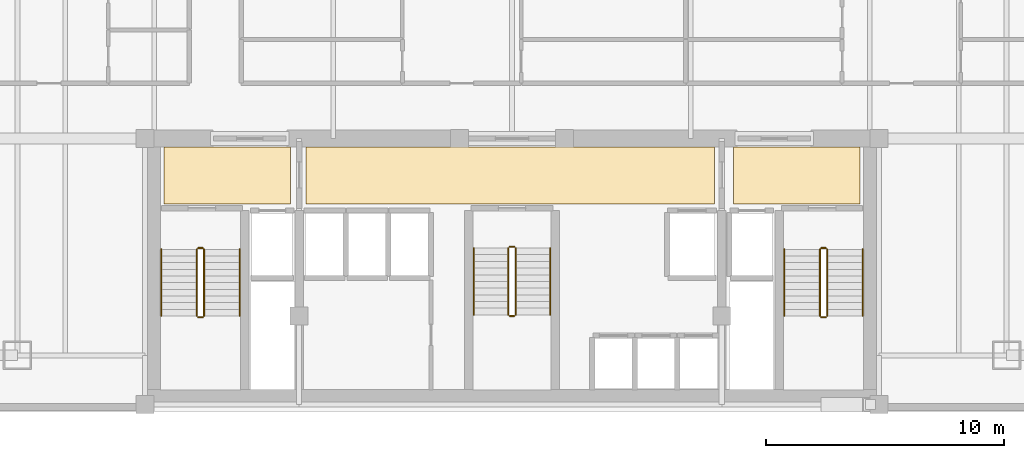
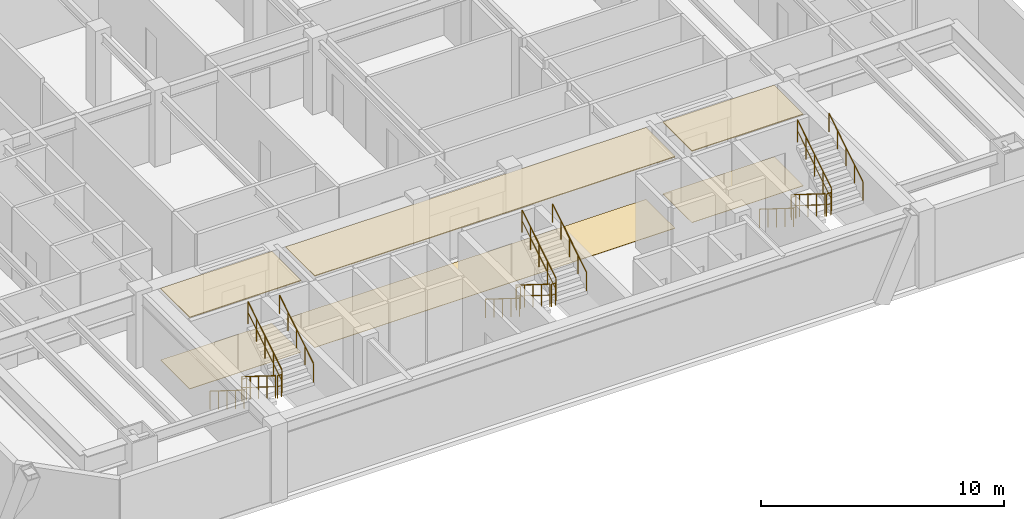
# One storey, part 9 of 9: 18 railings, 6 coverings.
"""IFC4 building model written with IfcOpenShell, lengths in metres."""

from ifc_helpers import new_model, si_unit, direction, frame, origin, origin_2d, place, context, subcontext, project, spatial, polyline, circle, outline, extrude, material, layer, layer_set, type_object, element, save


model = new_model("IFC4")

# Units and contexts
model_context = context("Model", 3, precision=1e-05, world=origin(), true_north=direction((0.0, 1.0)))
body_context = subcontext(model_context, "Body", "Model", "MODEL_VIEW")
ifc_project = project(units=[si_unit("LENGTHUNIT", "METRE"), si_unit("AREAUNIT", "SQUARE_METRE"), si_unit("VOLUMEUNIT", "CUBIC_METRE"), si_unit("PLANEANGLEUNIT", "RADIAN"), si_unit("MASSUNIT", "GRAM", prefix="KILO")], contexts=[model_context])

# Site, building, storey
site_placement = place(None, origin())
site = spatial("IfcSite", under=ifc_project, at=site_placement, CompositionType="ELEMENT")
building_placement = place(site_placement, origin())
building = spatial("IfcBuilding", under=site, at=building_placement, Name="Ventersveld Concourse Tower", CompositionType="ELEMENT")
storey_placement = place(building_placement, frame((0.0, 0.0, 152.89990234375)))
storey = spatial("IfcBuildingStorey", under=building, at=storey_placement, Name="L37", CompositionType="ELEMENT", Elevation=152.89990234375)

# Coverings
ifc_material_1 = material(Name="Mineral-fibre acoustic ceiling tile", Category="gypsum")
ifc_layer_1 = layer(ifc_material_1, 0.0400390625)
ifc_layer_set_1 = layer_set([ifc_layer_1], Name="Mineral-fibre acoustic ceiling tile")
covering_type_1 = type_object("IfcCoveringType", Name="COV-CEIL-ACOUSTIC", PredefinedType="CEILING", material=ifc_layer_set_1)
covering_1_placement = place(storey_placement, frame((0.0, 0.0, 3.590087890625)))
element("IfcCovering", 1, at=covering_1_placement, inside=storey, type_object=covering_type_1, Name="L37 North Lift Lobby Acoustic Ceiling", PredefinedType="CEILING", context=body_context, shape_type="SweptSolid", body=[
    extrude(outline(polyline([(20.10009765625, 8.699951171875), (37.25, 8.699951171875), (37.25, 11.10009765625), (20.10009765625, 11.10009765625), (20.10009765625, 8.699951171875)])), origin(), (0.0, 0.0, 1.0), 0.0400390625),
])
covering_2_placement = place(storey_placement, frame((0.0, 0.0, 3.590087890625)))
element("IfcCovering", 2, at=covering_2_placement, inside=storey, type_object=covering_type_1, Name="L37 West Firefighting Lobby Acoustic Ceiling", PredefinedType="CEILING", context=body_context, shape_type="SweptSolid", body=[
    extrude(outline(polyline([(14.14990234375, 8.699951171875), (19.449951171875, 8.699951171875), (19.449951171875, 11.10009765625), (14.14990234375, 11.10009765625), (14.14990234375, 8.699951171875)])), origin(), (0.0, 0.0, 1.0), 0.0400390625),
])
covering_3_placement = place(storey_placement, frame((0.0, 0.0, 3.590087890625)))
element("IfcCovering", 3, at=covering_3_placement, inside=storey, type_object=covering_type_1, Name="L37 East Firefighting Lobby Acoustic Ceiling", PredefinedType="CEILING", context=body_context, shape_type="SweptSolid", body=[
    extrude(outline(polyline([(38.050048828125, 8.699951171875), (43.35009765625, 8.699951171875), (43.35009765625, 11.10009765625), (38.050048828125, 11.10009765625), (38.050048828125, 8.699951171875)])), origin(), (0.0, 0.0, 1.0), 0.0400390625),
])
ifc_material_2 = material(Name="Polished Highveld granite terrazzo", Category="masonry")
ifc_layer_2 = layer(ifc_material_2, 0.02001953125)
ifc_layer_set_2 = layer_set([ifc_layer_2], Name="Polished Highveld granite terrazzo")
covering_type_2 = type_object("IfcCoveringType", Name="COV-FLOOR-TERRAZZO", PredefinedType="FLOORING", material=ifc_layer_set_2)
covering_4_placement = place(storey_placement, origin())
element("IfcCovering", 4, at=covering_4_placement, inside=storey, type_object=covering_type_2, Name="L37 North Lift Lobby Terrazzo Flooring", PredefinedType="FLOORING", context=body_context, shape_type="SweptSolid", body=[
    extrude(outline(polyline([(20.10009765625, 8.699951171875), (37.25, 8.699951171875), (37.25, 11.10009765625), (20.10009765625, 11.10009765625), (20.10009765625, 8.699951171875)])), origin(), (0.0, 0.0, 1.0), 0.02001953125),
])
covering_5_placement = place(storey_placement, origin())
element("IfcCovering", 5, at=covering_5_placement, inside=storey, type_object=covering_type_2, Name="L37 West Firefighting Lobby Terrazzo Flooring", PredefinedType="FLOORING", context=body_context, shape_type="SweptSolid", body=[
    extrude(outline(polyline([(14.14990234375, 8.699951171875), (19.449951171875, 8.699951171875), (19.449951171875, 11.10009765625), (14.14990234375, 11.10009765625), (14.14990234375, 8.699951171875)])), origin(), (0.0, 0.0, 1.0), 0.02001953125),
])
covering_6_placement = place(storey_placement, origin())
element("IfcCovering", 6, at=covering_6_placement, inside=storey, type_object=covering_type_2, Name="L37 East Firefighting Lobby Terrazzo Flooring", PredefinedType="FLOORING", context=body_context, shape_type="SweptSolid", body=[
    extrude(outline(polyline([(38.050048828125, 8.699951171875), (43.35009765625, 8.699951171875), (43.35009765625, 11.10009765625), (38.050048828125, 11.10009765625), (38.050048828125, 8.699951171875)])), origin(), (0.0, 0.0, 1.0), 0.02001953125),
])

# Railings
ifc_material_3 = material(Name="Brushed stainless steel 316", Category="steel")
railing_type_1 = type_object("IfcRailingType", Name="GD-BAL-115", PredefinedType="GUARDRAIL", material=ifc_material_3)
railing_1_placement = place(storey_placement, frame((15.530029296875, 6.800048828125, 0.175048828125)))
element("IfcRailing", 7, at=railing_1_placement, inside=storey, type_object=railing_type_1, Name="L37 ST-01 stair guard 1", PredefinedType="GUARDRAIL", context=body_context, shape_type="SweptSolid", body=[
    extrude(circle(Radius=0.02392578125, at=origin_2d()), frame((0.0, 0.0, 1.1259765625), z_axis=(0.0, -0.848002457836, 0.529992293815), x_axis=(1.0, 0.0, 0.0)), (0.0, 0.0, 1.0), 3.302001953125),
    extrude(circle(Radius=0.01611328125, at=origin_2d()), frame((0.0, 0.0, 0.574951171875), z_axis=(0.0, -0.848002457836, 0.529992293815), x_axis=(1.0, 0.0, 0.0)), (0.0, 0.0, 1.0), 3.302001953125),
    extrude(circle(Radius=0.02099609375, at=origin_2d()), origin(), (0.0, 0.0, 1.0), 1.101806640625),
    extrude(circle(Radius=0.02099609375, at=origin_2d()), frame((0.0, -0.699951171875, 0.4375)), (0.0, 0.0, 1.0), 1.101806640625),
    extrude(circle(Radius=0.02099609375, at=origin_2d()), frame((0.0, -1.39990234375, 0.875)), (0.0, 0.0, 1.0), 1.101806640625),
    extrude(circle(Radius=0.02099609375, at=origin_2d()), frame((0.0, -2.10009765625, 1.3125)), (0.0, 0.0, 1.0), 1.101806640625),
    extrude(circle(Radius=0.02099609375, at=origin_2d()), frame((0.0, -2.800048828125, 1.75)), (0.0, 0.0, 1.0), 1.101806640625),
])
railing_2_placement = place(storey_placement, frame((15.580078125, 3.949951171875, 1.925048828125)))
element("IfcRailing", 8, at=railing_2_placement, inside=storey, type_object=railing_type_1, Name="L37 ST-01 stair guard 2", PredefinedType="GUARDRAIL", context=body_context, shape_type="SweptSolid", body=[
    extrude(circle(Radius=0.02392578125, at=origin_2d()), frame((0.0, 0.0, 1.1259765625), z_axis=(1.0, 0.0, 0.0), x_axis=(0.0, 1.0, 0.0)), (0.0, 0.0, 1.0), 0.199951171875),
    extrude(circle(Radius=0.01611328125, at=origin_2d()), frame((0.0, 0.0, 0.574951171875), z_axis=(1.0, 0.0, 0.0), x_axis=(0.0, 1.0, 0.0)), (0.0, 0.0, 1.0), 0.199951171875),
    extrude(circle(Radius=0.02099609375, at=origin_2d()), origin(), (0.0, 0.0, 1.0), 1.101806640625),
    extrude(circle(Radius=0.02099609375, at=origin_2d()), frame((0.199951171875, 0.0, 0.0)), (0.0, 0.0, 1.0), 1.101806640625),
])
railing_3_placement = place(storey_placement, frame((15.830078125, 4.0, 2.10009765625)))
element("IfcRailing", 9, at=railing_3_placement, inside=storey, type_object=railing_type_1, Name="L37 ST-01 stair guard 3", PredefinedType="GUARDRAIL", context=body_context, shape_type="SweptSolid", body=[
    extrude(circle(Radius=0.02392578125, at=origin_2d()), frame((0.0, 0.0, 1.1259765625), z_axis=(0.0, 0.848002457836, 0.529992293815), x_axis=(-1.0, 0.0, 0.0)), (0.0, 0.0, 1.0), 3.302001953125),
    extrude(circle(Radius=0.01611328125, at=origin_2d()), frame((0.0, 0.0, 0.574951171875), z_axis=(0.0, 0.848002457836, 0.529992293815), x_axis=(-1.0, 0.0, 0.0)), (0.0, 0.0, 1.0), 3.302001953125),
    extrude(circle(Radius=0.02099609375, at=origin_2d()), origin(), (0.0, 0.0, 1.0), 1.101806640625),
    extrude(circle(Radius=0.02099609375, at=origin_2d()), frame((0.0, 0.699951171875, 0.4375)), (0.0, 0.0, 1.0), 1.101806640625),
    extrude(circle(Radius=0.02099609375, at=origin_2d()), frame((0.0, 1.39990234375, 0.875)), (0.0, 0.0, 1.0), 1.101806640625),
    extrude(circle(Radius=0.02099609375, at=origin_2d()), frame((0.0, 2.10009765625, 1.3125)), (0.0, 0.0, 1.0), 1.101806640625),
    extrude(circle(Radius=0.02099609375, at=origin_2d()), frame((0.0, 2.800048828125, 1.75)), (0.0, 0.0, 1.0), 1.101806640625),
])
railing_4_placement = place(storey_placement, frame((15.580078125, 6.85009765625, 0.0)))
element("IfcRailing", 10, at=railing_4_placement, inside=storey, type_object=railing_type_1, Name="L37 ST-01 stair guard 4", PredefinedType="GUARDRAIL", context=body_context, shape_type="SweptSolid", body=[
    extrude(circle(Radius=0.02392578125, at=origin_2d()), frame((0.0, 0.0, 1.1259765625), z_axis=(1.0, 0.0, 0.0), x_axis=(0.0, 1.0, 0.0)), (0.0, 0.0, 1.0), 0.199951171875),
    extrude(circle(Radius=0.01611328125, at=origin_2d()), frame((0.0, 0.0, 0.574951171875), z_axis=(1.0, 0.0, 0.0), x_axis=(0.0, 1.0, 0.0)), (0.0, 0.0, 1.0), 0.199951171875),
    extrude(circle(Radius=0.02099609375, at=origin_2d()), origin(), (0.0, 0.0, 1.0), 1.101806640625),
    extrude(circle(Radius=0.02099609375, at=origin_2d()), frame((0.199951171875, 0.0, 0.0)), (0.0, 0.0, 1.0), 1.101806640625),
])
railing_5_placement = place(storey_placement, frame((41.669921875, 6.800048828125, 0.175048828125)))
element("IfcRailing", 11, at=railing_5_placement, inside=storey, type_object=railing_type_1, Name="L37 ST-02 stair guard 1", PredefinedType="GUARDRAIL", context=body_context, shape_type="SweptSolid", body=[
    extrude(circle(Radius=0.02392578125, at=origin_2d()), frame((0.0, 0.0, 1.1259765625), z_axis=(0.0, -0.848002457836, 0.529992293815), x_axis=(1.0, 0.0, 0.0)), (0.0, 0.0, 1.0), 3.302001953125),
    extrude(circle(Radius=0.01611328125, at=origin_2d()), frame((0.0, 0.0, 0.574951171875), z_axis=(0.0, -0.848002457836, 0.529992293815), x_axis=(1.0, 0.0, 0.0)), (0.0, 0.0, 1.0), 3.302001953125),
    extrude(circle(Radius=0.02099609375, at=origin_2d()), origin(), (0.0, 0.0, 1.0), 1.101806640625),
    extrude(circle(Radius=0.02099609375, at=origin_2d()), frame((0.0, -0.699951171875, 0.4375)), (0.0, 0.0, 1.0), 1.101806640625),
    extrude(circle(Radius=0.02099609375, at=origin_2d()), frame((0.0, -1.39990234375, 0.875)), (0.0, 0.0, 1.0), 1.101806640625),
    extrude(circle(Radius=0.02099609375, at=origin_2d()), frame((0.0, -2.10009765625, 1.3125)), (0.0, 0.0, 1.0), 1.101806640625),
    extrude(circle(Radius=0.02099609375, at=origin_2d()), frame((0.0, -2.800048828125, 1.75)), (0.0, 0.0, 1.0), 1.101806640625),
])
railing_6_placement = place(storey_placement, frame((41.719970703125, 3.949951171875, 1.925048828125)))
element("IfcRailing", 12, at=railing_6_placement, inside=storey, type_object=railing_type_1, Name="L37 ST-02 stair guard 2", PredefinedType="GUARDRAIL", context=body_context, shape_type="SweptSolid", body=[
    extrude(circle(Radius=0.02392578125, at=origin_2d()), frame((0.0, 0.0, 1.1259765625), z_axis=(1.0, 0.0, 0.0), x_axis=(0.0, 1.0, 0.0)), (0.0, 0.0, 1.0), 0.199951171875),
    extrude(circle(Radius=0.01611328125, at=origin_2d()), frame((0.0, 0.0, 0.574951171875), z_axis=(1.0, 0.0, 0.0), x_axis=(0.0, 1.0, 0.0)), (0.0, 0.0, 1.0), 0.199951171875),
    extrude(circle(Radius=0.02099609375, at=origin_2d()), origin(), (0.0, 0.0, 1.0), 1.101806640625),
    extrude(circle(Radius=0.02099609375, at=origin_2d()), frame((0.199951171875, 0.0, 0.0)), (0.0, 0.0, 1.0), 1.101806640625),
])
railing_7_placement = place(storey_placement, frame((41.969970703125, 4.0, 2.10009765625)))
element("IfcRailing", 13, at=railing_7_placement, inside=storey, type_object=railing_type_1, Name="L37 ST-02 stair guard 3", PredefinedType="GUARDRAIL", context=body_context, shape_type="SweptSolid", body=[
    extrude(circle(Radius=0.02392578125, at=origin_2d()), frame((0.0, 0.0, 1.1259765625), z_axis=(0.0, 0.848002457836, 0.529992293815), x_axis=(-1.0, 0.0, 0.0)), (0.0, 0.0, 1.0), 3.302001953125),
    extrude(circle(Radius=0.01611328125, at=origin_2d()), frame((0.0, 0.0, 0.574951171875), z_axis=(0.0, 0.848002457836, 0.529992293815), x_axis=(-1.0, 0.0, 0.0)), (0.0, 0.0, 1.0), 3.302001953125),
    extrude(circle(Radius=0.02099609375, at=origin_2d()), origin(), (0.0, 0.0, 1.0), 1.101806640625),
    extrude(circle(Radius=0.02099609375, at=origin_2d()), frame((0.0, 0.699951171875, 0.4375)), (0.0, 0.0, 1.0), 1.101806640625),
    extrude(circle(Radius=0.02099609375, at=origin_2d()), frame((0.0, 1.39990234375, 0.875)), (0.0, 0.0, 1.0), 1.101806640625),
    extrude(circle(Radius=0.02099609375, at=origin_2d()), frame((0.0, 2.10009765625, 1.3125)), (0.0, 0.0, 1.0), 1.101806640625),
    extrude(circle(Radius=0.02099609375, at=origin_2d()), frame((0.0, 2.800048828125, 1.75)), (0.0, 0.0, 1.0), 1.101806640625),
])
railing_8_placement = place(storey_placement, frame((41.719970703125, 6.85009765625, 0.0)))
element("IfcRailing", 14, at=railing_8_placement, inside=storey, type_object=railing_type_1, Name="L37 ST-02 stair guard 4", PredefinedType="GUARDRAIL", context=body_context, shape_type="SweptSolid", body=[
    extrude(circle(Radius=0.02392578125, at=origin_2d()), frame((0.0, 0.0, 1.1259765625), z_axis=(1.0, 0.0, 0.0), x_axis=(0.0, 1.0, 0.0)), (0.0, 0.0, 1.0), 0.199951171875),
    extrude(circle(Radius=0.01611328125, at=origin_2d()), frame((0.0, 0.0, 0.574951171875), z_axis=(1.0, 0.0, 0.0), x_axis=(0.0, 1.0, 0.0)), (0.0, 0.0, 1.0), 0.199951171875),
    extrude(circle(Radius=0.02099609375, at=origin_2d()), origin(), (0.0, 0.0, 1.0), 1.101806640625),
    extrude(circle(Radius=0.02099609375, at=origin_2d()), frame((0.199951171875, 0.0, 0.0)), (0.0, 0.0, 1.0), 1.101806640625),
])
railing_9_placement = place(storey_placement, frame((28.60009765625, 6.85009765625, 0.175048828125)))
element("IfcRailing", 15, at=railing_9_placement, inside=storey, type_object=railing_type_1, Name="L37 ST-03 stair guard 1", PredefinedType="GUARDRAIL", context=body_context, shape_type="SweptSolid", body=[
    extrude(circle(Radius=0.02392578125, at=origin_2d()), frame((0.0, 0.0, 1.1259765625), z_axis=(0.0, -0.848002457836, 0.529992293815), x_axis=(1.0, 0.0, 0.0)), (0.0, 0.0, 1.0), 3.302001953125),
    extrude(circle(Radius=0.01611328125, at=origin_2d()), frame((0.0, 0.0, 0.574951171875), z_axis=(0.0, -0.848002457836, 0.529992293815), x_axis=(1.0, 0.0, 0.0)), (0.0, 0.0, 1.0), 3.302001953125),
    extrude(circle(Radius=0.02099609375, at=origin_2d()), origin(), (0.0, 0.0, 1.0), 1.101806640625),
    extrude(circle(Radius=0.02099609375, at=origin_2d()), frame((0.0, -0.699951171875, 0.4375)), (0.0, 0.0, 1.0), 1.101806640625),
    extrude(circle(Radius=0.02099609375, at=origin_2d()), frame((0.0, -1.39990234375, 0.875)), (0.0, 0.0, 1.0), 1.101806640625),
    extrude(circle(Radius=0.02099609375, at=origin_2d()), frame((0.0, -2.10009765625, 1.3125)), (0.0, 0.0, 1.0), 1.101806640625),
    extrude(circle(Radius=0.02099609375, at=origin_2d()), frame((0.0, -2.800048828125, 1.75)), (0.0, 0.0, 1.0), 1.101806640625),
])
railing_10_placement = place(storey_placement, frame((28.64990234375, 4.0, 1.925048828125)))
element("IfcRailing", 16, at=railing_10_placement, inside=storey, type_object=railing_type_1, Name="L37 ST-03 stair guard 2", PredefinedType="GUARDRAIL", context=body_context, shape_type="SweptSolid", body=[
    extrude(circle(Radius=0.02392578125, at=origin_2d()), frame((0.0, 0.0, 1.1259765625), z_axis=(1.0, 0.0, 0.0), x_axis=(0.0, 1.0, 0.0)), (0.0, 0.0, 1.0), 0.2001953125),
    extrude(circle(Radius=0.01611328125, at=origin_2d()), frame((0.0, 0.0, 0.574951171875), z_axis=(1.0, 0.0, 0.0), x_axis=(0.0, 1.0, 0.0)), (0.0, 0.0, 1.0), 0.2001953125),
    extrude(circle(Radius=0.02099609375, at=origin_2d()), origin(), (0.0, 0.0, 1.0), 1.101806640625),
    extrude(circle(Radius=0.02099609375, at=origin_2d()), frame((0.2001953125, 0.0, 0.0)), (0.0, 0.0, 1.0), 1.101806640625),
])
railing_11_placement = place(storey_placement, frame((28.89990234375, 4.050048828125, 2.10009765625)))
element("IfcRailing", 17, at=railing_11_placement, inside=storey, type_object=railing_type_1, Name="L37 ST-03 stair guard 3", PredefinedType="GUARDRAIL", context=body_context, shape_type="SweptSolid", body=[
    extrude(circle(Radius=0.02392578125, at=origin_2d()), frame((0.0, 0.0, 1.1259765625), z_axis=(0.0, 0.848002457836, 0.529992293815), x_axis=(-1.0, 0.0, 0.0)), (0.0, 0.0, 1.0), 3.302001953125),
    extrude(circle(Radius=0.01611328125, at=origin_2d()), frame((0.0, 0.0, 0.574951171875), z_axis=(0.0, 0.848002457836, 0.529992293815), x_axis=(-1.0, 0.0, 0.0)), (0.0, 0.0, 1.0), 3.302001953125),
    extrude(circle(Radius=0.02099609375, at=origin_2d()), origin(), (0.0, 0.0, 1.0), 1.101806640625),
    extrude(circle(Radius=0.02099609375, at=origin_2d()), frame((0.0, 0.699951171875, 0.4375)), (0.0, 0.0, 1.0), 1.101806640625),
    extrude(circle(Radius=0.02099609375, at=origin_2d()), frame((0.0, 1.39990234375, 0.875)), (0.0, 0.0, 1.0), 1.101806640625),
    extrude(circle(Radius=0.02099609375, at=origin_2d()), frame((0.0, 2.10009765625, 1.3125)), (0.0, 0.0, 1.0), 1.101806640625),
    extrude(circle(Radius=0.02099609375, at=origin_2d()), frame((0.0, 2.800048828125, 1.75)), (0.0, 0.0, 1.0), 1.101806640625),
])
railing_12_placement = place(storey_placement, frame((28.64990234375, 6.89990234375, 0.0)))
element("IfcRailing", 18, at=railing_12_placement, inside=storey, type_object=railing_type_1, Name="L37 ST-03 stair guard 4", PredefinedType="GUARDRAIL", context=body_context, shape_type="SweptSolid", body=[
    extrude(circle(Radius=0.02392578125, at=origin_2d()), frame((0.0, 0.0, 1.1259765625), z_axis=(1.0, 0.0, 0.0), x_axis=(0.0, 1.0, 0.0)), (0.0, 0.0, 1.0), 0.2001953125),
    extrude(circle(Radius=0.01611328125, at=origin_2d()), frame((0.0, 0.0, 0.574951171875), z_axis=(1.0, 0.0, 0.0), x_axis=(0.0, 1.0, 0.0)), (0.0, 0.0, 1.0), 0.2001953125),
    extrude(circle(Radius=0.02099609375, at=origin_2d()), origin(), (0.0, 0.0, 1.0), 1.101806640625),
    extrude(circle(Radius=0.02099609375, at=origin_2d()), frame((0.2001953125, 0.0, 0.0)), (0.0, 0.0, 1.0), 1.101806640625),
])
railing_type_2 = type_object("IfcRailingType", Name="HR-RMP-095", PredefinedType="HANDRAIL", material=ifc_material_3)
railing_13_placement = place(storey_placement, frame((14.030029296875, 6.800048828125, 0.175048828125)))
element("IfcRailing", 19, at=railing_13_placement, inside=storey, type_object=railing_type_2, Name="L37 ST-01 stair handrail 1", PredefinedType="HANDRAIL", context=body_context, shape_type="SweptSolid", body=[
    extrude(circle(Radius=0.02392578125, at=origin_2d()), frame((0.0, 0.0, 0.92578125), z_axis=(0.0, -0.848002457836, 0.529992293815), x_axis=(1.0, 0.0, 0.0)), (0.0, 0.0, 1.0), 3.302001953125),
    extrude(circle(Radius=0.02099609375, at=origin_2d()), origin(), (0.0, 0.0, 1.0), 0.90185546875),
    extrude(circle(Radius=0.02099609375, at=origin_2d()), frame((0.0, -0.699951171875, 0.4375)), (0.0, 0.0, 1.0), 0.90185546875),
    extrude(circle(Radius=0.02099609375, at=origin_2d()), frame((0.0, -1.39990234375, 0.875)), (0.0, 0.0, 1.0), 0.90185546875),
    extrude(circle(Radius=0.02099609375, at=origin_2d()), frame((0.0, -2.10009765625, 1.3125)), (0.0, 0.0, 1.0), 0.90185546875),
    extrude(circle(Radius=0.02099609375, at=origin_2d()), frame((0.0, -2.800048828125, 1.75)), (0.0, 0.0, 1.0), 0.90185546875),
])
railing_14_placement = place(storey_placement, frame((17.330078125, 4.0, 2.10009765625)))
element("IfcRailing", 20, at=railing_14_placement, inside=storey, type_object=railing_type_2, Name="L37 ST-01 stair handrail 2", PredefinedType="HANDRAIL", context=body_context, shape_type="SweptSolid", body=[
    extrude(circle(Radius=0.02392578125, at=origin_2d()), frame((0.0, 0.0, 0.92578125), z_axis=(0.0, 0.848002457836, 0.529992293815), x_axis=(-1.0, 0.0, 0.0)), (0.0, 0.0, 1.0), 3.302001953125),
    extrude(circle(Radius=0.02099609375, at=origin_2d()), origin(), (0.0, 0.0, 1.0), 0.90185546875),
    extrude(circle(Radius=0.02099609375, at=origin_2d()), frame((0.0, 0.699951171875, 0.4375)), (0.0, 0.0, 1.0), 0.90185546875),
    extrude(circle(Radius=0.02099609375, at=origin_2d()), frame((0.0, 1.39990234375, 0.875)), (0.0, 0.0, 1.0), 0.90185546875),
    extrude(circle(Radius=0.02099609375, at=origin_2d()), frame((0.0, 2.10009765625, 1.3125)), (0.0, 0.0, 1.0), 0.90185546875),
    extrude(circle(Radius=0.02099609375, at=origin_2d()), frame((0.0, 2.800048828125, 1.75)), (0.0, 0.0, 1.0), 0.90185546875),
])
railing_15_placement = place(storey_placement, frame((40.169921875, 6.800048828125, 0.175048828125)))
element("IfcRailing", 21, at=railing_15_placement, inside=storey, type_object=railing_type_2, Name="L37 ST-02 stair handrail 1", PredefinedType="HANDRAIL", context=body_context, shape_type="SweptSolid", body=[
    extrude(circle(Radius=0.02392578125, at=origin_2d()), frame((0.0, 0.0, 0.92578125), z_axis=(0.0, -0.848002457836, 0.529992293815), x_axis=(1.0, 0.0, 0.0)), (0.0, 0.0, 1.0), 3.302001953125),
    extrude(circle(Radius=0.02099609375, at=origin_2d()), origin(), (0.0, 0.0, 1.0), 0.90185546875),
    extrude(circle(Radius=0.02099609375, at=origin_2d()), frame((0.0, -0.699951171875, 0.4375)), (0.0, 0.0, 1.0), 0.90185546875),
    extrude(circle(Radius=0.02099609375, at=origin_2d()), frame((0.0, -1.39990234375, 0.875)), (0.0, 0.0, 1.0), 0.90185546875),
    extrude(circle(Radius=0.02099609375, at=origin_2d()), frame((0.0, -2.10009765625, 1.3125)), (0.0, 0.0, 1.0), 0.90185546875),
    extrude(circle(Radius=0.02099609375, at=origin_2d()), frame((0.0, -2.800048828125, 1.75)), (0.0, 0.0, 1.0), 0.90185546875),
])
railing_16_placement = place(storey_placement, frame((43.469970703125, 4.0, 2.10009765625)))
element("IfcRailing", 22, at=railing_16_placement, inside=storey, type_object=railing_type_2, Name="L37 ST-02 stair handrail 2", PredefinedType="HANDRAIL", context=body_context, shape_type="SweptSolid", body=[
    extrude(circle(Radius=0.02392578125, at=origin_2d()), frame((0.0, 0.0, 0.92578125), z_axis=(0.0, 0.848002457836, 0.529992293815), x_axis=(-1.0, 0.0, 0.0)), (0.0, 0.0, 1.0), 3.302001953125),
    extrude(circle(Radius=0.02099609375, at=origin_2d()), origin(), (0.0, 0.0, 1.0), 0.90185546875),
    extrude(circle(Radius=0.02099609375, at=origin_2d()), frame((0.0, 0.699951171875, 0.4375)), (0.0, 0.0, 1.0), 0.90185546875),
    extrude(circle(Radius=0.02099609375, at=origin_2d()), frame((0.0, 1.39990234375, 0.875)), (0.0, 0.0, 1.0), 0.90185546875),
    extrude(circle(Radius=0.02099609375, at=origin_2d()), frame((0.0, 2.10009765625, 1.3125)), (0.0, 0.0, 1.0), 0.90185546875),
    extrude(circle(Radius=0.02099609375, at=origin_2d()), frame((0.0, 2.800048828125, 1.75)), (0.0, 0.0, 1.0), 0.90185546875),
])
railing_17_placement = place(storey_placement, frame((27.14990234375, 6.85009765625, 0.175048828125)))
element("IfcRailing", 23, at=railing_17_placement, inside=storey, type_object=railing_type_2, Name="L37 ST-03 stair handrail 1", PredefinedType="HANDRAIL", context=body_context, shape_type="SweptSolid", body=[
    extrude(circle(Radius=0.02392578125, at=origin_2d()), frame((0.0, 0.0, 0.92578125), z_axis=(0.0, -0.848002457836, 0.529992293815), x_axis=(1.0, 0.0, 0.0)), (0.0, 0.0, 1.0), 3.302001953125),
    extrude(circle(Radius=0.02099609375, at=origin_2d()), origin(), (0.0, 0.0, 1.0), 0.90185546875),
    extrude(circle(Radius=0.02099609375, at=origin_2d()), frame((0.0, -0.699951171875, 0.4375)), (0.0, 0.0, 1.0), 0.90185546875),
    extrude(circle(Radius=0.02099609375, at=origin_2d()), frame((0.0, -1.39990234375, 0.875)), (0.0, 0.0, 1.0), 0.90185546875),
    extrude(circle(Radius=0.02099609375, at=origin_2d()), frame((0.0, -2.10009765625, 1.3125)), (0.0, 0.0, 1.0), 0.90185546875),
    extrude(circle(Radius=0.02099609375, at=origin_2d()), frame((0.0, -2.800048828125, 1.75)), (0.0, 0.0, 1.0), 0.90185546875),
])
railing_18_placement = place(storey_placement, frame((30.35009765625, 4.050048828125, 2.10009765625)))
element("IfcRailing", 24, at=railing_18_placement, inside=storey, type_object=railing_type_2, Name="L37 ST-03 stair handrail 2", PredefinedType="HANDRAIL", context=body_context, shape_type="SweptSolid", body=[
    extrude(circle(Radius=0.02392578125, at=origin_2d()), frame((0.0, 0.0, 0.92578125), z_axis=(0.0, 0.848002457836, 0.529992293815), x_axis=(-1.0, 0.0, 0.0)), (0.0, 0.0, 1.0), 3.302001953125),
    extrude(circle(Radius=0.02099609375, at=origin_2d()), origin(), (0.0, 0.0, 1.0), 0.90185546875),
    extrude(circle(Radius=0.02099609375, at=origin_2d()), frame((0.0, 0.699951171875, 0.4375)), (0.0, 0.0, 1.0), 0.90185546875),
    extrude(circle(Radius=0.02099609375, at=origin_2d()), frame((0.0, 1.39990234375, 0.875)), (0.0, 0.0, 1.0), 0.90185546875),
    extrude(circle(Radius=0.02099609375, at=origin_2d()), frame((0.0, 2.10009765625, 1.3125)), (0.0, 0.0, 1.0), 0.90185546875),
    extrude(circle(Radius=0.02099609375, at=origin_2d()), frame((0.0, 2.800048828125, 1.75)), (0.0, 0.0, 1.0), 0.90185546875),
])

save(model, "model.ifc")
